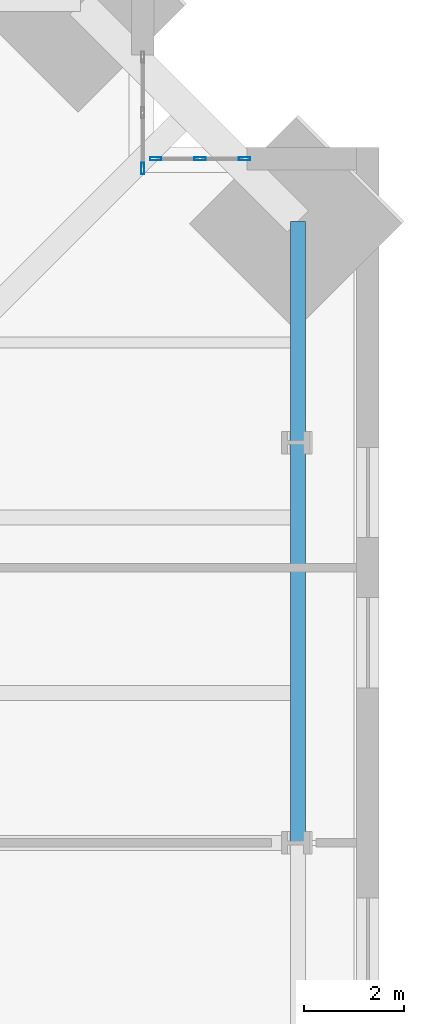
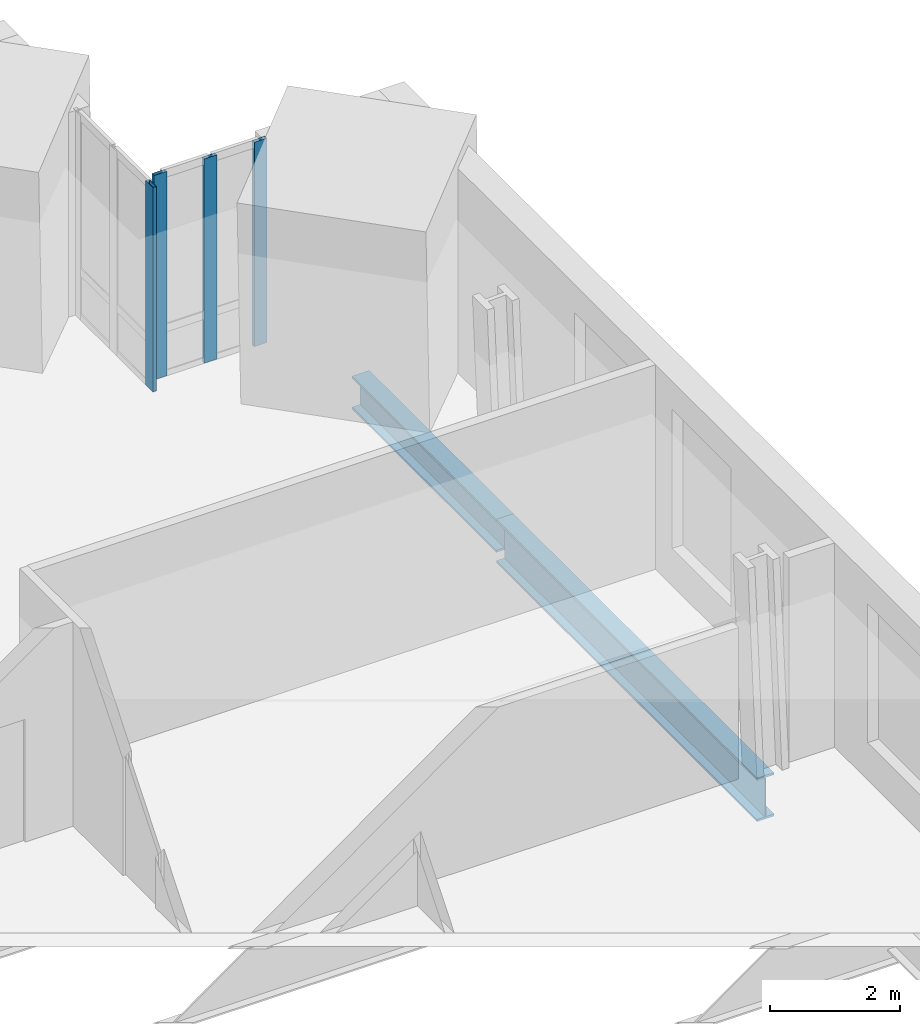
# One storey, part 10 of 18: 4 members, 2 beams, 2 elements without a shape of their own.
"""IFC4 building model written with IfcOpenShell, lengths in metres."""

from ifc_helpers import new_model, si_unit, direction, frame, origin, origin_2d, place, context, subcontext, project, spatial, hollow_rectangle, i_section, extrude, material, material_profile, profile_set, type_object, element, aggregate, save


model = new_model("IFC4")

# Units and contexts
model_context = context("Model", 3, precision=1e-05, world=origin(), true_north=direction((0.0, 1.0)))
body_context = subcontext(model_context, "Body", "Model", "MODEL_VIEW")
ifc_project = project(units=[si_unit("LENGTHUNIT", "METRE"), si_unit("AREAUNIT", "SQUARE_METRE"), si_unit("VOLUMEUNIT", "CUBIC_METRE"), si_unit("PLANEANGLEUNIT", "RADIAN"), si_unit("MASSUNIT", "GRAM", prefix="KILO")], contexts=[model_context])

# Site, building, storey
site_placement = place(None, origin())
site = spatial("IfcSite", under=ifc_project, at=site_placement, CompositionType="ELEMENT")
building_placement = place(site_placement, origin())
building = spatial("IfcBuilding", under=site, at=building_placement, Name="Peilmerk Tower", CompositionType="ELEMENT")
storey_placement = place(building_placement, frame((0.0, 0.0, 151.800048828125)))
storey = spatial("IfcBuildingStorey", under=building, at=storey_placement, Name="L31", CompositionType="ELEMENT", Elevation=151.800048828125)

# Beams
ifc_material_1 = material(Name="Steel S355", Category="steel")
ifc_material_profile_1 = material_profile(ifc_material_1, i_section(OverallWidth=0.302978515625, OverallDepth=0.81396484375, WebThickness=0.02099609375, FlangeThickness=0.0400390625, at=origin_2d()), Name="HEM 800")
ifc_profile_set_1 = profile_set([ifc_material_profile_1], Name="Steel S355")
beam_type_1 = type_object("IfcBeamType", Name="B15 HEM 800 edge beam", PredefinedType="SPANDREL", material=ifc_profile_set_1)
beam_1_placement = place(storey_placement, frame((24.77587890625, 8.0, -0.5771484375), z_axis=(0.0, 1.0, 0.0), x_axis=(-1.0, 0.0, 0.0)))
element("IfcBeam", 1, at=beam_1_placement, inside=storey, type_object=beam_type_1, Name="Edge beam L31", PredefinedType="SPANDREL", context=body_context, shape_type="SweptSolid", body=[
    extrude(i_section(OverallWidth=0.302978515625, OverallDepth=0.81396484375, WebThickness=0.02099609375, FlangeThickness=0.0400390625, at=origin_2d()), origin(), (0.0, 0.0, 1.0), 8.0),
])
ifc_material_profile_2 = material_profile(ifc_material_1, i_section(OverallWidth=0.304931640625, OverallDepth=0.6201171875, WebThickness=0.02099609375, FlangeThickness=0.0400390625, at=origin_2d()), Name="HEM 600")
ifc_profile_set_2 = profile_set([ifc_material_profile_2], Name="Steel S355")
beam_type_2 = type_object("IfcBeamType", Name="B31 HEM 600 edge beam", PredefinedType="SPANDREL", material=ifc_profile_set_2)
beam_2_placement = place(storey_placement, frame((24.77587890625, 16.0, -0.47998046875), z_axis=(0.0, 1.0, 0.0), x_axis=(-1.0, 0.0, 0.0)))
element("IfcBeam", 2, at=beam_2_placement, inside=storey, type_object=beam_type_2, Name="Edge beam L31", PredefinedType="SPANDREL", context=body_context, shape_type="SweptSolid", body=[
    extrude(i_section(OverallWidth=0.304931640625, OverallDepth=0.6201171875, WebThickness=0.02099609375, FlangeThickness=0.0400390625, at=origin_2d()), origin(), (0.0, 0.0, 1.0), 4.42578125),
])

# Curtain wall, member
ifc_material_2 = material(Name="Aluminium stick curtain wall", Category="aluminium")
curtain_wall_type = type_object("IfcCurtainWallType", Name="CW3 stick curtain wall, 2250 module", PredefinedType="NOTDEFINED", material=ifc_material_2)
curtain_wall_1_placement = place(storey_placement, origin())
curtain_wall_1 = element("IfcCurtainWall", 3, at=curtain_wall_1_placement, inside=storey, type_object=curtain_wall_type, Name="Curtain wall CW3 NEA L31", PredefinedType="NOTDEFINED")
ifc_material_3 = material(Name="Aluminium EN AW-6063 T6", Category="aluminium")
ifc_material_profile_3 = material_profile(ifc_material_3, hollow_rectangle(XDim=0.06494140625, YDim=0.22509765625, WallThickness=0.00390625, at=origin_2d()), Name="AL 225x65x4")
ifc_profile_set_3 = profile_set([ifc_material_profile_3], Name="Aluminium EN AW-6063 T6")
member_type = type_object("IfcMemberType", Name="CW3-M AL 225x65x4 mullion", PredefinedType="MULLION", material=ifc_profile_set_3)
member_1_placement = place(storey_placement, frame((21.675048828125, 21.482421875, 0.0), z_axis=(0.0, 0.0, 1.0), x_axis=(-1.0, 0.0, 0.0)))
member_1 = element("IfcMember", 4, at=member_1_placement, type_object=member_type, Name="CW3 mullion 1", PredefinedType="MULLION", context=body_context, shape_type="SweptSolid", body=[
    extrude(hollow_rectangle(XDim=0.06494140625, YDim=0.22509765625, WallThickness=0.00390625, at=origin_2d()), origin(), (0.0, 0.0, 1.0), 3.829833984375),
])
aggregate(curtain_wall_1, [member_1])

# Curtain wall, members
curtain_wall_2_placement = place(storey_placement, origin())
curtain_wall_2 = element("IfcCurtainWall", 5, at=curtain_wall_2_placement, inside=storey, type_object=curtain_wall_type, Name="Curtain wall CW3 NEB L31", PredefinedType="NOTDEFINED")
member_2_placement = place(storey_placement, frame((21.9326171875, 21.675048828125, 0.0), z_axis=(0.0, 0.0, 1.0), x_axis=(0.0, 1.0, 0.0)))
member_2 = element("IfcMember", 6, at=member_2_placement, type_object=member_type, Name="CW3 mullion 1", PredefinedType="MULLION", context=body_context, shape_type="SweptSolid", body=[
    extrude(hollow_rectangle(XDim=0.06494140625, YDim=0.22509765625, WallThickness=0.00390625, at=origin_2d()), origin(), (0.0, 0.0, 1.0), 3.829833984375),
])
member_3_placement = place(storey_placement, frame((22.8193359375, 21.675048828125, 0.0), z_axis=(0.0, 0.0, 1.0), x_axis=(0.0, 1.0, 0.0)))
member_3 = element("IfcMember", 7, at=member_3_placement, type_object=member_type, Name="CW3 mullion 2", PredefinedType="MULLION", context=body_context, shape_type="SweptSolid", body=[
    extrude(hollow_rectangle(XDim=0.06494140625, YDim=0.22509765625, WallThickness=0.00390625, at=origin_2d()), origin(), (0.0, 0.0, 1.0), 3.829833984375),
])
member_4_placement = place(storey_placement, frame((23.706298828125, 21.675048828125, 0.0), z_axis=(0.0, 0.0, 1.0), x_axis=(0.0, 1.0, 0.0)))
member_4 = element("IfcMember", 8, at=member_4_placement, type_object=member_type, Name="CW3 mullion 3", PredefinedType="MULLION", context=body_context, shape_type="SweptSolid", body=[
    extrude(hollow_rectangle(XDim=0.06494140625, YDim=0.22509765625, WallThickness=0.00390625, at=origin_2d()), origin(), (0.0, 0.0, 1.0), 3.829833984375),
])
aggregate(curtain_wall_2, [member_2, member_3, member_4])

save(model, "model.ifc")
